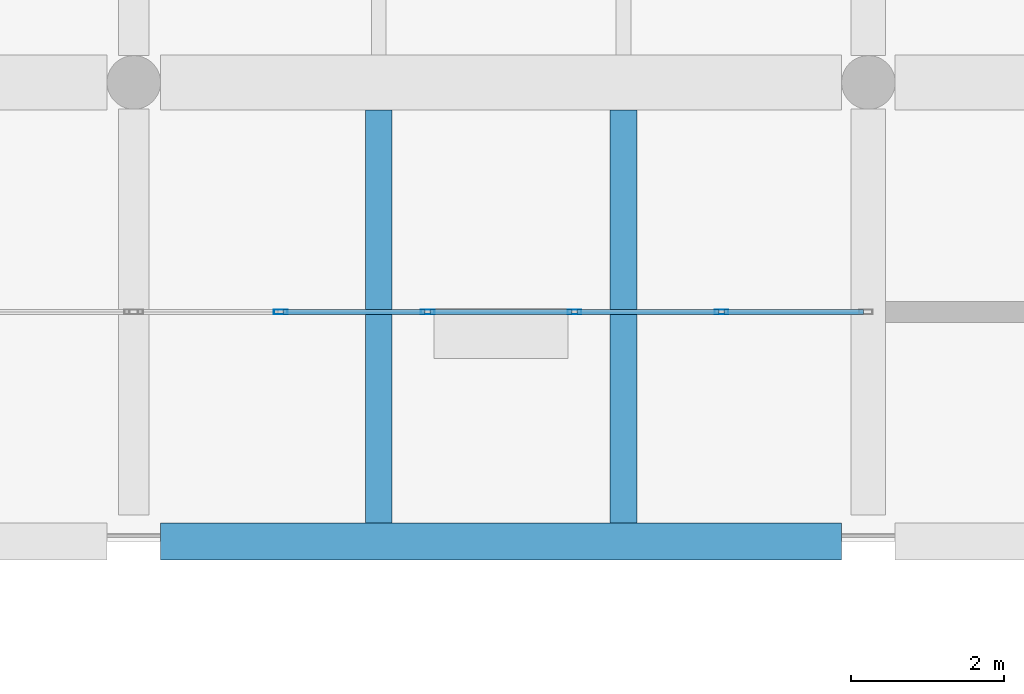
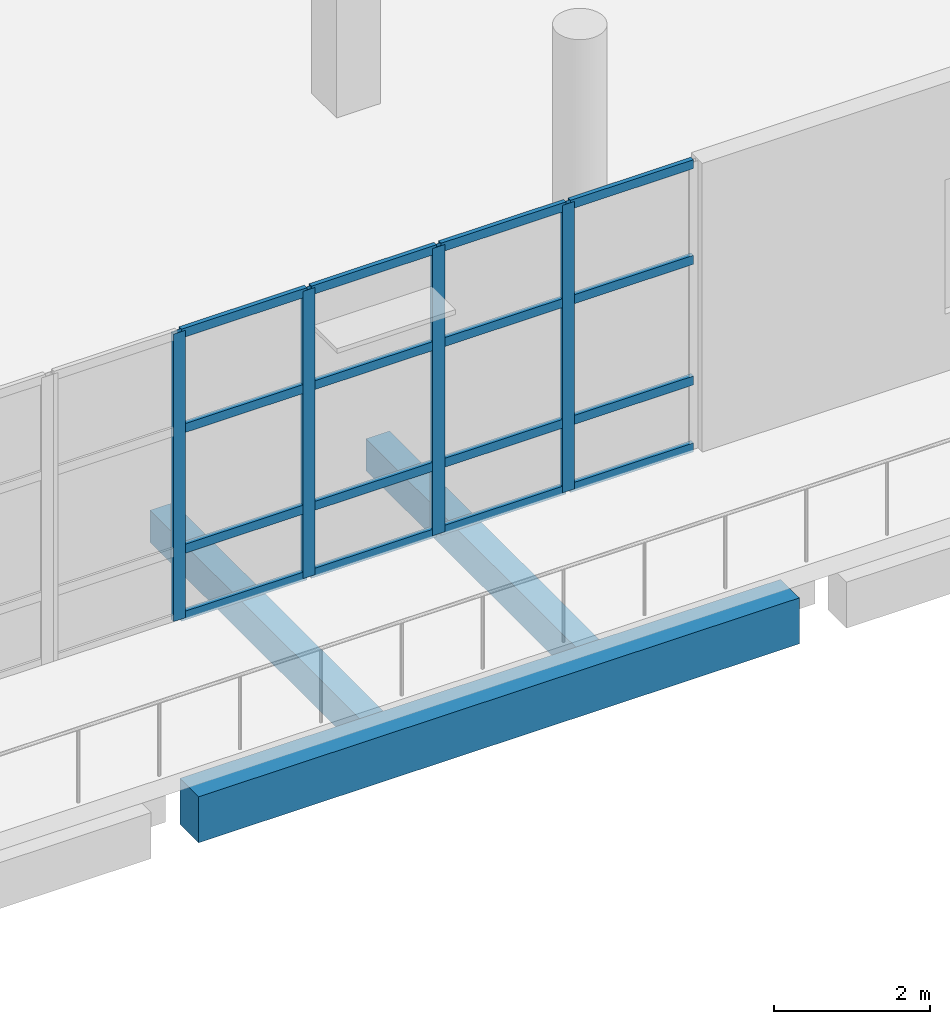
# One storey, part 19 of 79: 20 members, 3 beams, 1 element without a shape of its own.
"""IFC4 building model written with IfcOpenShell, lengths in metres."""

from ifc_helpers import new_model, si_unit, direction, frame, origin, origin_2d, place, context, subcontext, project, spatial, rectangle, hollow_rectangle, extrude, material, material_profile, profile_set, type_object, element, aggregate, save


model = new_model("IFC4")

# Units and contexts
model_context = context("Model", 3, precision=1e-05, world=origin(), true_north=direction((0.0, 1.0)))
body_context = subcontext(model_context, "Body", "Model", "MODEL_VIEW")
ifc_project = project(units=[si_unit("LENGTHUNIT", "METRE"), si_unit("AREAUNIT", "SQUARE_METRE"), si_unit("VOLUMEUNIT", "CUBIC_METRE"), si_unit("PLANEANGLEUNIT", "RADIAN"), si_unit("MASSUNIT", "GRAM", prefix="KILO")], contexts=[model_context])

# Site, building, storey
site_placement = place(None, origin())
site = spatial("IfcSite", under=ifc_project, at=site_placement, CompositionType="ELEMENT")
building_placement = place(site_placement, origin())
building = spatial("IfcBuilding", under=site, at=building_placement, Name="Pellamere Symphony Hall", CompositionType="ELEMENT")
storey_placement = place(building_placement, frame((0.0, 0.0, 10.199951171875)))
storey = spatial("IfcBuildingStorey", under=building, at=storey_placement, Name="L02", CompositionType="ELEMENT", Elevation=10.199951171875)

# Curtain wall, members
ifc_material_1 = material(Name="Thermally Broken Anodised Aluminium 6063-T6 Curtain Wall", Category="aluminium")
curtain_wall_type = type_object("IfcCurtainWallType", Name="Curtain Wall CW-02 (Winter-Garden South Concourse Curtain Wall)", PredefinedType="NOTDEFINED", material=ifc_material_1)
curtain_wall_placement = place(storey_placement, origin())
curtain_wall = element("IfcCurtainWall", 1, at=curtain_wall_placement, inside=storey, type_object=curtain_wall_type, Name="Winter-Garden South Curtain Wall (L02 Bay 11)", PredefinedType="NOTDEFINED")
ifc_material_2 = material(Name="Anodised Architectural Aluminium 6063-T6", Category="aluminium")
ifc_material_profile_1 = material_profile(ifc_material_2, hollow_rectangle(XDim=0.06494140625, YDim=0.179931640625, WallThickness=0.00390625, at=origin_2d()), Name="ALU-M65X180X4")
ifc_profile_set_1 = profile_set([ifc_material_profile_1], Name="Anodised Architectural Aluminium 6063-T6")
member_type_1 = type_object("IfcMemberType", Name="Curtain Wall Mullion ML-02 ALU-M65X180X4", PredefinedType="MULLION", material=ifc_profile_set_1)
member_1_placement = place(storey_placement, frame((120.719970703125, 21.0, 0.0), z_axis=(0.0, 0.0, 1.0), x_axis=(0.0, 1.0, 0.0)))
member_1 = element("IfcMember", 2, at=member_1_placement, type_object=member_type_1, Name="CW2-085 crystal mullion 2", PredefinedType="MULLION", context=body_context, shape_type="SweptSolid", body=[
    extrude(hollow_rectangle(XDim=0.06494140625, YDim=0.179931640625, WallThickness=0.00390625, at=origin_2d()), origin(), (0.0, 0.0, 1.0), 4.5),
])
member_2_placement = place(storey_placement, frame((122.639892578125, 21.0, 0.0), z_axis=(0.0, 0.0, 1.0), x_axis=(0.0, 1.0, 0.0)))
member_2 = element("IfcMember", 3, at=member_2_placement, type_object=member_type_1, Name="CW2-085 crystal mullion 3", PredefinedType="MULLION", context=body_context, shape_type="SweptSolid", body=[
    extrude(hollow_rectangle(XDim=0.06494140625, YDim=0.179931640625, WallThickness=0.00390625, at=origin_2d()), origin(), (0.0, 0.0, 1.0), 4.5),
])
member_3_placement = place(storey_placement, frame((124.56005859375, 21.0, 0.0), z_axis=(0.0, 0.0, 1.0), x_axis=(0.0, 1.0, 0.0)))
member_3 = element("IfcMember", 4, at=member_3_placement, type_object=member_type_1, Name="CW2-085 crystal mullion 4", PredefinedType="MULLION", context=body_context, shape_type="SweptSolid", body=[
    extrude(hollow_rectangle(XDim=0.06494140625, YDim=0.179931640625, WallThickness=0.00390625, at=origin_2d()), origin(), (0.0, 0.0, 1.0), 4.5),
])
member_4_placement = place(storey_placement, frame((126.47998046875, 21.0, 0.0), z_axis=(0.0, 0.0, 1.0), x_axis=(0.0, 1.0, 0.0)))
member_4 = element("IfcMember", 5, at=member_4_placement, type_object=member_type_1, Name="CW2-085 crystal mullion 5", PredefinedType="MULLION", context=body_context, shape_type="SweptSolid", body=[
    extrude(hollow_rectangle(XDim=0.06494140625, YDim=0.179931640625, WallThickness=0.00390625, at=origin_2d()), origin(), (0.0, 0.0, 1.0), 4.5),
])
ifc_material_profile_2 = material_profile(ifc_material_2, hollow_rectangle(XDim=0.06494140625, YDim=0.139892578125, WallThickness=0.00390625, at=origin_2d()), Name="ALU-T65X140X4")
ifc_profile_set_2 = profile_set([ifc_material_profile_2], Name="Anodised Architectural Aluminium 6063-T6")
member_type_2 = type_object("IfcMemberType", Name="Curtain Wall Transom TR-02 ALU-T65X140X4", PredefinedType="USERDEFINED", material=ifc_profile_set_2)
member_5_placement = place(storey_placement, frame((120.75244140625, 21.0, 0.032470703125), z_axis=(1.0, 0.0, 0.0), x_axis=(0.0, 1.0, 0.0)))
member_5 = element("IfcMember", 6, at=member_5_placement, type_object=member_type_2, Name="CW2-085 crystal transom 2.1", ObjectType="TRANSOM", PredefinedType="USERDEFINED", context=body_context, shape_type="SweptSolid", body=[
    extrude(hollow_rectangle(XDim=0.06494140625, YDim=0.139892578125, WallThickness=0.00390625, at=origin_2d()), origin(), (0.0, 0.0, 1.0), 1.85498046875),
])
member_6_placement = place(storey_placement, frame((120.75244140625, 21.0, 1.080078125), z_axis=(1.0, 0.0, 0.0), x_axis=(0.0, 1.0, 0.0)))
member_6 = element("IfcMember", 7, at=member_6_placement, type_object=member_type_2, Name="CW2-085 crystal transom 2.2", ObjectType="TRANSOM", PredefinedType="USERDEFINED", context=body_context, shape_type="SweptSolid", body=[
    extrude(hollow_rectangle(XDim=0.06494140625, YDim=0.139892578125, WallThickness=0.00390625, at=origin_2d()), origin(), (0.0, 0.0, 1.0), 1.85498046875),
])
member_7_placement = place(storey_placement, frame((120.75244140625, 21.0, 2.969970703125), z_axis=(1.0, 0.0, 0.0), x_axis=(0.0, 1.0, 0.0)))
member_7 = element("IfcMember", 8, at=member_7_placement, type_object=member_type_2, Name="CW2-085 crystal transom 2.3", ObjectType="TRANSOM", PredefinedType="USERDEFINED", context=body_context, shape_type="SweptSolid", body=[
    extrude(hollow_rectangle(XDim=0.06494140625, YDim=0.139892578125, WallThickness=0.00390625, at=origin_2d()), origin(), (0.0, 0.0, 1.0), 1.85498046875),
])
member_8_placement = place(storey_placement, frame((120.75244140625, 21.0, 4.467529296875), z_axis=(1.0, 0.0, 0.0), x_axis=(0.0, 1.0, 0.0)))
member_8 = element("IfcMember", 9, at=member_8_placement, type_object=member_type_2, Name="CW2-085 crystal transom 2.4", ObjectType="TRANSOM", PredefinedType="USERDEFINED", context=body_context, shape_type="SweptSolid", body=[
    extrude(hollow_rectangle(XDim=0.06494140625, YDim=0.139892578125, WallThickness=0.00390625, at=origin_2d()), origin(), (0.0, 0.0, 1.0), 1.85498046875),
])
member_9_placement = place(storey_placement, frame((122.672607421875, 21.0, 0.032470703125), z_axis=(1.0, 0.0, 0.0), x_axis=(0.0, 1.0, 0.0)))
member_9 = element("IfcMember", 10, at=member_9_placement, type_object=member_type_2, Name="CW2-085 crystal transom 3.1", ObjectType="TRANSOM", PredefinedType="USERDEFINED", context=body_context, shape_type="SweptSolid", body=[
    extrude(hollow_rectangle(XDim=0.06494140625, YDim=0.139892578125, WallThickness=0.00390625, at=origin_2d()), origin(), (0.0, 0.0, 1.0), 1.85498046875),
])
member_10_placement = place(storey_placement, frame((122.672607421875, 21.0, 1.080078125), z_axis=(1.0, 0.0, 0.0), x_axis=(0.0, 1.0, 0.0)))
member_10 = element("IfcMember", 11, at=member_10_placement, type_object=member_type_2, Name="CW2-085 crystal transom 3.2", ObjectType="TRANSOM", PredefinedType="USERDEFINED", context=body_context, shape_type="SweptSolid", body=[
    extrude(hollow_rectangle(XDim=0.06494140625, YDim=0.139892578125, WallThickness=0.00390625, at=origin_2d()), origin(), (0.0, 0.0, 1.0), 1.85498046875),
])
member_11_placement = place(storey_placement, frame((122.672607421875, 21.0, 2.969970703125), z_axis=(1.0, 0.0, 0.0), x_axis=(0.0, 1.0, 0.0)))
member_11 = element("IfcMember", 12, at=member_11_placement, type_object=member_type_2, Name="CW2-085 crystal transom 3.3", ObjectType="TRANSOM", PredefinedType="USERDEFINED", context=body_context, shape_type="SweptSolid", body=[
    extrude(hollow_rectangle(XDim=0.06494140625, YDim=0.139892578125, WallThickness=0.00390625, at=origin_2d()), origin(), (0.0, 0.0, 1.0), 1.85498046875),
])
member_12_placement = place(storey_placement, frame((122.672607421875, 21.0, 4.467529296875), z_axis=(1.0, 0.0, 0.0), x_axis=(0.0, 1.0, 0.0)))
member_12 = element("IfcMember", 13, at=member_12_placement, type_object=member_type_2, Name="CW2-085 crystal transom 3.4", ObjectType="TRANSOM", PredefinedType="USERDEFINED", context=body_context, shape_type="SweptSolid", body=[
    extrude(hollow_rectangle(XDim=0.06494140625, YDim=0.139892578125, WallThickness=0.00390625, at=origin_2d()), origin(), (0.0, 0.0, 1.0), 1.85498046875),
])
member_13_placement = place(storey_placement, frame((124.592529296875, 21.0, 0.032470703125), z_axis=(1.0, 0.0, 0.0), x_axis=(0.0, 1.0, 0.0)))
member_13 = element("IfcMember", 14, at=member_13_placement, type_object=member_type_2, Name="CW2-085 crystal transom 4.1", ObjectType="TRANSOM", PredefinedType="USERDEFINED", context=body_context, shape_type="SweptSolid", body=[
    extrude(hollow_rectangle(XDim=0.06494140625, YDim=0.139892578125, WallThickness=0.00390625, at=origin_2d()), origin(), (0.0, 0.0, 1.0), 1.85498046875),
])
member_14_placement = place(storey_placement, frame((124.592529296875, 21.0, 1.080078125), z_axis=(1.0, 0.0, 0.0), x_axis=(0.0, 1.0, 0.0)))
member_14 = element("IfcMember", 15, at=member_14_placement, type_object=member_type_2, Name="CW2-085 crystal transom 4.2", ObjectType="TRANSOM", PredefinedType="USERDEFINED", context=body_context, shape_type="SweptSolid", body=[
    extrude(hollow_rectangle(XDim=0.06494140625, YDim=0.139892578125, WallThickness=0.00390625, at=origin_2d()), origin(), (0.0, 0.0, 1.0), 1.85498046875),
])
member_15_placement = place(storey_placement, frame((124.592529296875, 21.0, 2.969970703125), z_axis=(1.0, 0.0, 0.0), x_axis=(0.0, 1.0, 0.0)))
member_15 = element("IfcMember", 16, at=member_15_placement, type_object=member_type_2, Name="CW2-085 crystal transom 4.3", ObjectType="TRANSOM", PredefinedType="USERDEFINED", context=body_context, shape_type="SweptSolid", body=[
    extrude(hollow_rectangle(XDim=0.06494140625, YDim=0.139892578125, WallThickness=0.00390625, at=origin_2d()), origin(), (0.0, 0.0, 1.0), 1.85498046875),
])
member_16_placement = place(storey_placement, frame((124.592529296875, 21.0, 4.467529296875), z_axis=(1.0, 0.0, 0.0), x_axis=(0.0, 1.0, 0.0)))
member_16 = element("IfcMember", 17, at=member_16_placement, type_object=member_type_2, Name="CW2-085 crystal transom 4.4", ObjectType="TRANSOM", PredefinedType="USERDEFINED", context=body_context, shape_type="SweptSolid", body=[
    extrude(hollow_rectangle(XDim=0.06494140625, YDim=0.139892578125, WallThickness=0.00390625, at=origin_2d()), origin(), (0.0, 0.0, 1.0), 1.85498046875),
])
member_17_placement = place(storey_placement, frame((126.512451171875, 21.0, 0.032470703125), z_axis=(1.0, 0.0, 0.0), x_axis=(0.0, 1.0, 0.0)))
member_17 = element("IfcMember", 18, at=member_17_placement, type_object=member_type_2, Name="CW2-085 crystal transom 5.1", ObjectType="TRANSOM", PredefinedType="USERDEFINED", context=body_context, shape_type="SweptSolid", body=[
    extrude(hollow_rectangle(XDim=0.06494140625, YDim=0.139892578125, WallThickness=0.00390625, at=origin_2d()), origin(), (0.0, 0.0, 1.0), 1.822509765625),
])
member_18_placement = place(storey_placement, frame((126.512451171875, 21.0, 1.080078125), z_axis=(1.0, 0.0, 0.0), x_axis=(0.0, 1.0, 0.0)))
member_18 = element("IfcMember", 19, at=member_18_placement, type_object=member_type_2, Name="CW2-085 crystal transom 5.2", ObjectType="TRANSOM", PredefinedType="USERDEFINED", context=body_context, shape_type="SweptSolid", body=[
    extrude(hollow_rectangle(XDim=0.06494140625, YDim=0.139892578125, WallThickness=0.00390625, at=origin_2d()), origin(), (0.0, 0.0, 1.0), 1.822509765625),
])
member_19_placement = place(storey_placement, frame((126.512451171875, 21.0, 2.969970703125), z_axis=(1.0, 0.0, 0.0), x_axis=(0.0, 1.0, 0.0)))
member_19 = element("IfcMember", 20, at=member_19_placement, type_object=member_type_2, Name="CW2-085 crystal transom 5.3", ObjectType="TRANSOM", PredefinedType="USERDEFINED", context=body_context, shape_type="SweptSolid", body=[
    extrude(hollow_rectangle(XDim=0.06494140625, YDim=0.139892578125, WallThickness=0.00390625, at=origin_2d()), origin(), (0.0, 0.0, 1.0), 1.822509765625),
])
member_20_placement = place(storey_placement, frame((126.512451171875, 21.0, 4.467529296875), z_axis=(1.0, 0.0, 0.0), x_axis=(0.0, 1.0, 0.0)))
member_20 = element("IfcMember", 21, at=member_20_placement, type_object=member_type_2, Name="CW2-085 crystal transom 5.4", ObjectType="TRANSOM", PredefinedType="USERDEFINED", context=body_context, shape_type="SweptSolid", body=[
    extrude(hollow_rectangle(XDim=0.06494140625, YDim=0.139892578125, WallThickness=0.00390625, at=origin_2d()), origin(), (0.0, 0.0, 1.0), 1.822509765625),
])
aggregate(curtain_wall, [member_1, member_2, member_3, member_4, member_5, member_6, member_7, member_8, member_9, member_10, member_11, member_12, member_13, member_14, member_15, member_16, member_17, member_18, member_19, member_20])

# Beams
ifc_material_3 = material(Name="Concrete 35 MPa", Category="concrete")
ifc_material_profile_3 = material_profile(ifc_material_3, rectangle(XDim=0.35009765625, YDim=0.5, at=origin_2d()), Name="RC 350x500")
ifc_profile_set_3 = profile_set([ifc_material_profile_3], Name="Concrete 35 MPa")
beam_type_1 = type_object("IfcBeamType", Name="RC CB-11 350x500", PredefinedType="BEAM", material=ifc_profile_set_3)
for number, where, z_axis, x_axis, name in (
    (22, (122.0, 18.239990234375, -0.544921875), (0.0, 1.0, 0.0), (-1.0, 0.0, 0.0), "Secondary Floor Beam CB-11-A1502 (L02)"),
    (23, (125.199951171875, 18.239990234375, -0.544921875), (0.0, 1.0, 0.0), (-1.0, 0.0, 0.0), "Secondary Floor Beam CB-11-B1502 (L02)"),
):
    element("IfcBeam", number, at=place(storey_placement, frame(where, z_axis=z_axis, x_axis=x_axis)), inside=storey, type_object=beam_type_1, Name=name, PredefinedType="BEAM", context=body_context, shape_type="SweptSolid", body=[
        extrude(rectangle(XDim=0.35009765625, YDim=0.5, at=origin_2d()), origin(), (0.0, 0.0, 1.0), 5.39990234375),
    ])
ifc_material_4 = material(Name="Concrete 40 MPa", Category="concrete")
ifc_material_profile_4 = material_profile(ifc_material_4, rectangle(XDim=0.47998046875, YDim=0.719970703125, at=origin_2d()), Name="RC 480x720")
ifc_profile_set_4 = profile_set([ifc_material_profile_4], Name="Concrete 40 MPa")
beam_type_2 = type_object("IfcBeamType", Name="RC CB-14 480x720", PredefinedType="SPANDREL", material=ifc_profile_set_4)
beam_placement = place(storey_placement, frame((119.14990234375, 18.0, -0.639892578125), z_axis=(1.0, 0.0, 0.0), x_axis=(0.0, 1.0, 0.0)))
element("IfcBeam", 24, at=beam_placement, inside=storey, type_object=beam_type_2, Name="Girder CB-14-X1050 (L02)", PredefinedType="SPANDREL", context=body_context, shape_type="SweptSolid", body=[
    extrude(rectangle(XDim=0.47998046875, YDim=0.719970703125, at=origin_2d()), origin(), (0.0, 0.0, 1.0), 8.900146484375),
])

save(model, "model.ifc")
